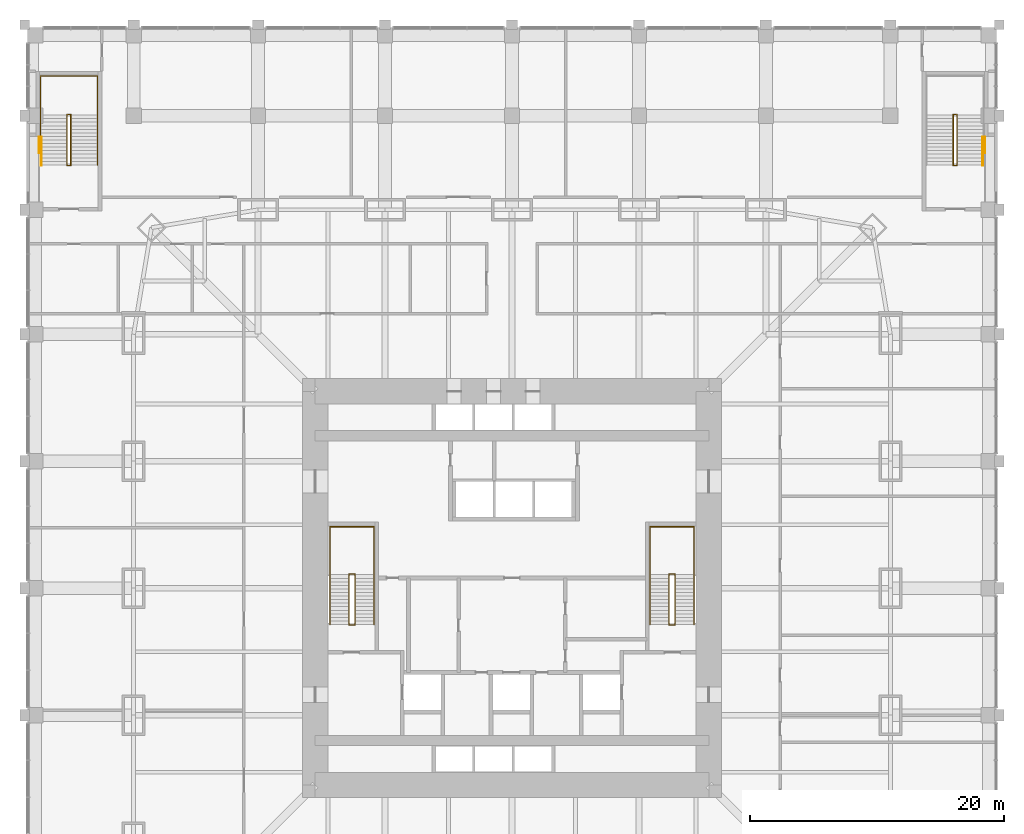
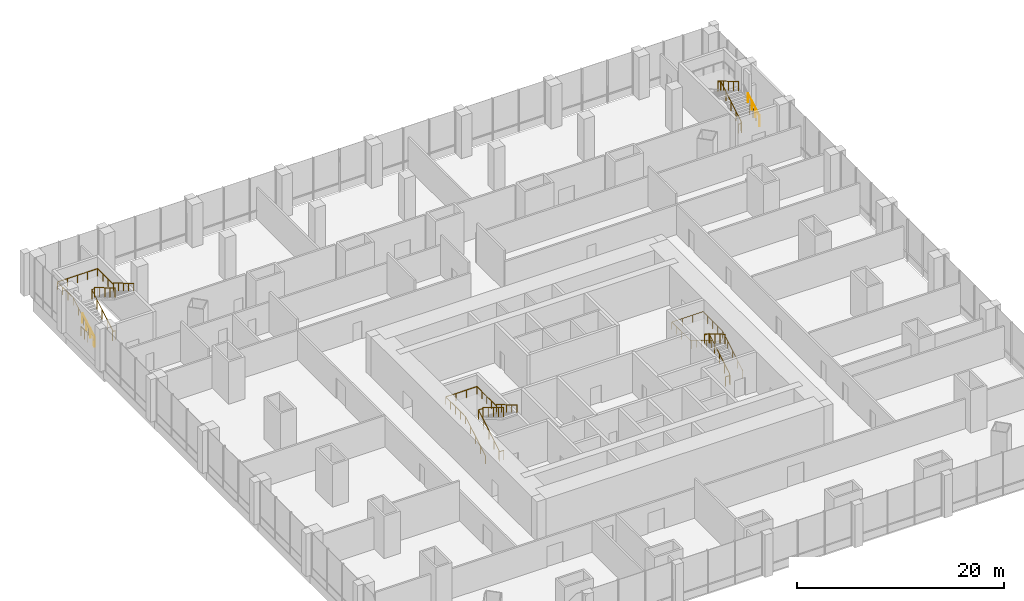
# One storey, part 23 of 24: 11 railings.
"""IFC4 building model written with IfcOpenShell, lengths in metres."""

from ifc_helpers import new_model, si_unit, direction, frame, origin, origin_2d, place, context, subcontext, project, spatial, circle, extrude, material, type_object, element, save


model = new_model("IFC4")

# Units and contexts
model_context = context("Model", 3, precision=1e-05, world=origin(), true_north=direction((0.0, 1.0)))
body_context = subcontext(model_context, "Body", "Model", "MODEL_VIEW")
ifc_project = project(units=[si_unit("LENGTHUNIT", "METRE"), si_unit("AREAUNIT", "SQUARE_METRE"), si_unit("VOLUMEUNIT", "CUBIC_METRE"), si_unit("PLANEANGLEUNIT", "RADIAN"), si_unit("MASSUNIT", "GRAM", prefix="KILO")], contexts=[model_context])

# Site, building, storey
site_placement = place(None, origin())
site = spatial("IfcSite", under=ifc_project, at=site_placement, CompositionType="ELEMENT")
building_placement = place(site_placement, origin())
building = spatial("IfcBuilding", under=site, at=building_placement, Name="Khuree Lantern Residences", CompositionType="ELEMENT")
storey_placement = place(building_placement, frame((0.0, 0.0, 6.0)))
storey = spatial("IfcBuildingStorey", under=building, at=storey_placement, Name="L01", CompositionType="ELEMENT", Elevation=6.0)

# Railings
ifc_material = material(Name="Steel S355", Category="steel")
railing_type_1 = type_object("IfcRailingType", Name="STAIR GUARD G1 1100", PredefinedType="GUARDRAIL", material=ifc_material)
railing_1_placement = place(storey_placement, frame((-12.35009765625, -2.909912109375, 0.0)))
element("IfcRailing", 1, at=railing_1_placement, inside=storey, type_object=railing_type_1, Name="Stair ST1 guard", PredefinedType="GUARDRAIL", context=body_context, shape_type="SweptSolid", body=[
    extrude(circle(Radius=0.02392578125, at=origin_2d()), frame((0.0, 0.0, 1.076171875), z_axis=(-1.0, 0.0, 0.0), x_axis=(0.0, -1.0, 0.0)), (0.0, 0.0, 1.0), 0.5),
    extrude(circle(Radius=0.02392578125, at=origin_2d()), frame((-0.5, 0.0, 1.076171875), z_axis=(0.0, 0.286189326841, 0.958173089375), x_axis=(-1.0, 0.0, 0.0)), (0.0, 0.0, 1.0), 0.174072265625),
    extrude(circle(Radius=0.02392578125, at=origin_2d()), frame((-0.5, 0.0498046875, 1.24267578125), z_axis=(0.0, 0.859310244771, 0.511454693235), x_axis=(-1.0, 0.0, 0.0)), (0.0, 0.0, 1.0), 4.56201171875),
    extrude(circle(Radius=0.02392578125, at=origin_2d()), frame((-0.5, 3.969970703125, 3.576171875), z_axis=(0.0, 1.0, 0.0), x_axis=(-1.0, 0.0, 0.0)), (0.0, 0.0, 1.0), 0.050048828125),
    extrude(circle(Radius=0.02392578125, at=origin_2d()), frame((-0.5, 4.02001953125, 3.576171875), z_axis=(1.0, 0.0, 0.0), x_axis=(0.0, 1.0, 0.0)), (0.0, 0.0, 1.0), 0.5),
    extrude(circle(Radius=0.02392578125, at=origin_2d()), frame((0.0, 4.02001953125, 3.576171875), z_axis=(0.0, -0.287476536604, 0.957787680492), x_axis=(1.0, 0.0, 0.0)), (0.0, 0.0, 1.0), 0.174072265625),
    extrude(circle(Radius=0.02392578125, at=origin_2d()), frame((0.0, 3.969970703125, 3.74267578125), z_axis=(0.0, -0.859310244771, 0.511454693235), x_axis=(1.0, 0.0, 0.0)), (0.0, 0.0, 1.0), 4.56201171875),
    extrude(circle(Radius=0.02099609375, at=origin_2d()), origin(), (0.0, 0.0, 1.0), 1.052001953125),
    extrude(circle(Radius=0.02099609375, at=origin_2d()), frame((-0.5, 0.0, 0.0)), (0.0, 0.0, 1.0), 1.052001953125),
    extrude(circle(Radius=0.02099609375, at=origin_2d()), frame((-0.5, 0.0498046875, 0.166748046875)), (0.0, 0.0, 1.0), 1.052001953125),
    extrude(circle(Radius=0.02099609375, at=origin_2d()), frame((-0.5, 1.02978515625, 0.75)), (0.0, 0.0, 1.0), 1.052001953125),
    extrude(circle(Radius=0.02099609375, at=origin_2d()), frame((-0.5, 2.009765625, 1.33349609375)), (0.0, 0.0, 1.0), 1.052001953125),
    extrude(circle(Radius=0.02099609375, at=origin_2d()), frame((-0.5, 2.989990234375, 1.916748046875)), (0.0, 0.0, 1.0), 1.052001953125),
    extrude(circle(Radius=0.02099609375, at=origin_2d()), frame((-0.5, 3.969970703125, 2.5)), (0.0, 0.0, 1.0), 1.052001953125),
    extrude(circle(Radius=0.02099609375, at=origin_2d()), frame((-0.5, 4.02001953125, 2.5)), (0.0, 0.0, 1.0), 1.052001953125),
    extrude(circle(Radius=0.02099609375, at=origin_2d()), frame((0.0, 4.02001953125, 2.5)), (0.0, 0.0, 1.0), 1.052001953125),
    extrude(circle(Radius=0.02099609375, at=origin_2d()), frame((0.0, 3.969970703125, 2.666748046875)), (0.0, 0.0, 1.0), 1.052001953125),
    extrude(circle(Radius=0.02099609375, at=origin_2d()), frame((0.0, 2.989990234375, 3.25)), (0.0, 0.0, 1.0), 1.052001953125),
    extrude(circle(Radius=0.02099609375, at=origin_2d()), frame((0.0, 2.009765625, 3.83349609375)), (0.0, 0.0, 1.0), 1.052001953125),
    extrude(circle(Radius=0.02099609375, at=origin_2d()), frame((0.0, 1.02978515625, 4.416748046875)), (0.0, 0.0, 1.0), 1.052001953125),
    extrude(circle(Radius=0.02099609375, at=origin_2d()), frame((0.0, 0.0498046875, 5.0)), (0.0, 0.0, 1.0), 1.052001953125),
])
railing_2_placement = place(storey_placement, frame((12.35009765625, -2.909912109375, 0.0)))
element("IfcRailing", 2, at=railing_2_placement, inside=storey, type_object=railing_type_1, Name="Stair ST2 guard", PredefinedType="GUARDRAIL", context=body_context, shape_type="SweptSolid", body=[
    extrude(circle(Radius=0.02392578125, at=origin_2d()), frame((0.0, 0.0, 1.076171875), z_axis=(1.0, 0.0, 0.0), x_axis=(0.0, 1.0, 0.0)), (0.0, 0.0, 1.0), 0.5),
    extrude(circle(Radius=0.02392578125, at=origin_2d()), frame((0.5, 0.0, 1.076171875), z_axis=(0.0, 0.286189326841, 0.958173089375), x_axis=(-1.0, 0.0, 0.0)), (0.0, 0.0, 1.0), 0.174072265625),
    extrude(circle(Radius=0.02392578125, at=origin_2d()), frame((0.5, 0.0498046875, 1.24267578125), z_axis=(0.0, 0.859310244771, 0.511454693235), x_axis=(-1.0, 0.0, 0.0)), (0.0, 0.0, 1.0), 4.56201171875),
    extrude(circle(Radius=0.02392578125, at=origin_2d()), frame((0.5, 3.969970703125, 3.576171875), z_axis=(0.0, 1.0, 0.0), x_axis=(-1.0, 0.0, 0.0)), (0.0, 0.0, 1.0), 0.050048828125),
    extrude(circle(Radius=0.02392578125, at=origin_2d()), frame((0.5, 4.02001953125, 3.576171875), z_axis=(-1.0, 0.0, 0.0), x_axis=(0.0, -1.0, 0.0)), (0.0, 0.0, 1.0), 0.5),
    extrude(circle(Radius=0.02392578125, at=origin_2d()), frame((0.0, 4.02001953125, 3.576171875), z_axis=(0.0, -0.287476536604, 0.957787680492), x_axis=(1.0, 0.0, 0.0)), (0.0, 0.0, 1.0), 0.174072265625),
    extrude(circle(Radius=0.02392578125, at=origin_2d()), frame((0.0, 3.969970703125, 3.74267578125), z_axis=(0.0, -0.859310244771, 0.511454693235), x_axis=(1.0, 0.0, 0.0)), (0.0, 0.0, 1.0), 4.56201171875),
    extrude(circle(Radius=0.02099609375, at=origin_2d()), origin(), (0.0, 0.0, 1.0), 1.052001953125),
    extrude(circle(Radius=0.02099609375, at=origin_2d()), frame((0.5, 0.0, 0.0)), (0.0, 0.0, 1.0), 1.052001953125),
    extrude(circle(Radius=0.02099609375, at=origin_2d()), frame((0.5, 0.0498046875, 0.166748046875)), (0.0, 0.0, 1.0), 1.052001953125),
    extrude(circle(Radius=0.02099609375, at=origin_2d()), frame((0.5, 1.02978515625, 0.75)), (0.0, 0.0, 1.0), 1.052001953125),
    extrude(circle(Radius=0.02099609375, at=origin_2d()), frame((0.5, 2.009765625, 1.33349609375)), (0.0, 0.0, 1.0), 1.052001953125),
    extrude(circle(Radius=0.02099609375, at=origin_2d()), frame((0.5, 2.989990234375, 1.916748046875)), (0.0, 0.0, 1.0), 1.052001953125),
    extrude(circle(Radius=0.02099609375, at=origin_2d()), frame((0.5, 3.969970703125, 2.5)), (0.0, 0.0, 1.0), 1.052001953125),
    extrude(circle(Radius=0.02099609375, at=origin_2d()), frame((0.5, 4.02001953125, 2.5)), (0.0, 0.0, 1.0), 1.052001953125),
    extrude(circle(Radius=0.02099609375, at=origin_2d()), frame((0.0, 4.02001953125, 2.5)), (0.0, 0.0, 1.0), 1.052001953125),
    extrude(circle(Radius=0.02099609375, at=origin_2d()), frame((0.0, 3.969970703125, 2.666748046875)), (0.0, 0.0, 1.0), 1.052001953125),
    extrude(circle(Radius=0.02099609375, at=origin_2d()), frame((0.0, 2.989990234375, 3.25)), (0.0, 0.0, 1.0), 1.052001953125),
    extrude(circle(Radius=0.02099609375, at=origin_2d()), frame((0.0, 2.009765625, 3.83349609375)), (0.0, 0.0, 1.0), 1.052001953125),
    extrude(circle(Radius=0.02099609375, at=origin_2d()), frame((0.0, 1.02978515625, 4.416748046875)), (0.0, 0.0, 1.0), 1.052001953125),
    extrude(circle(Radius=0.02099609375, at=origin_2d()), frame((0.0, 0.0498046875, 5.0)), (0.0, 0.0, 1.0), 1.052001953125),
])
railing_3_placement = place(storey_placement, frame((-34.75, 33.2900390625, 0.0)))
element("IfcRailing", 3, at=railing_3_placement, inside=storey, type_object=railing_type_1, Name="Stair ST3 guard", PredefinedType="GUARDRAIL", context=body_context, shape_type="SweptSolid", body=[
    extrude(circle(Radius=0.02392578125, at=origin_2d()), frame((0.0, 0.0, 1.076171875), z_axis=(-1.0, 0.0, 0.0), x_axis=(0.0, -1.0, 0.0)), (0.0, 0.0, 1.0), 0.300048828125),
    extrude(circle(Radius=0.02392578125, at=origin_2d()), frame((-0.300048828125, 0.0, 1.076171875), z_axis=(0.0, 0.287476536604, 0.957787680492), x_axis=(-1.0, 0.0, 0.0)), (0.0, 0.0, 1.0), 0.174072265625),
    extrude(circle(Radius=0.02392578125, at=origin_2d()), frame((-0.300048828125, 0.050048828125, 1.24267578125), z_axis=(0.0, 0.859296244711, 0.511478214419), x_axis=(-1.0, 0.0, 0.0)), (0.0, 0.0, 1.0), 4.561767578125),
    extrude(circle(Radius=0.02392578125, at=origin_2d()), frame((-0.300048828125, 3.969970703125, 3.576171875), z_axis=(0.0, 1.0, 0.0), x_axis=(-1.0, 0.0, 0.0)), (0.0, 0.0, 1.0), 0.050048828125),
    extrude(circle(Radius=0.02392578125, at=origin_2d()), frame((-0.300048828125, 4.02001953125, 3.576171875), z_axis=(1.0, 0.0, 0.0), x_axis=(0.0, 1.0, 0.0)), (0.0, 0.0, 1.0), 0.300048828125),
    extrude(circle(Radius=0.02392578125, at=origin_2d()), frame((0.0, 4.02001953125, 3.576171875), z_axis=(0.0, -0.287476536604, 0.957787680492), x_axis=(1.0, 0.0, 0.0)), (0.0, 0.0, 1.0), 0.174072265625),
    extrude(circle(Radius=0.02392578125, at=origin_2d()), frame((0.0, 3.969970703125, 3.74267578125), z_axis=(0.0, -0.859296244711, 0.511478214419), x_axis=(1.0, 0.0, 0.0)), (0.0, 0.0, 1.0), 4.561767578125),
    extrude(circle(Radius=0.02099609375, at=origin_2d()), origin(), (0.0, 0.0, 1.0), 1.052001953125),
    extrude(circle(Radius=0.02099609375, at=origin_2d()), frame((-0.300048828125, 0.0, 0.0)), (0.0, 0.0, 1.0), 1.052001953125),
    extrude(circle(Radius=0.02099609375, at=origin_2d()), frame((-0.300048828125, 0.050048828125, 0.166748046875)), (0.0, 0.0, 1.0), 1.052001953125),
    extrude(circle(Radius=0.02099609375, at=origin_2d()), frame((-0.300048828125, 1.030029296875, 0.75)), (0.0, 0.0, 1.0), 1.052001953125),
    extrude(circle(Radius=0.02099609375, at=origin_2d()), frame((-0.300048828125, 2.010009765625, 1.33349609375)), (0.0, 0.0, 1.0), 1.052001953125),
    extrude(circle(Radius=0.02099609375, at=origin_2d()), frame((-0.300048828125, 2.989990234375, 1.916748046875)), (0.0, 0.0, 1.0), 1.052001953125),
    extrude(circle(Radius=0.02099609375, at=origin_2d()), frame((-0.300048828125, 3.969970703125, 2.5)), (0.0, 0.0, 1.0), 1.052001953125),
    extrude(circle(Radius=0.02099609375, at=origin_2d()), frame((-0.300048828125, 4.02001953125, 2.5)), (0.0, 0.0, 1.0), 1.052001953125),
    extrude(circle(Radius=0.02099609375, at=origin_2d()), frame((0.0, 4.02001953125, 2.5)), (0.0, 0.0, 1.0), 1.052001953125),
    extrude(circle(Radius=0.02099609375, at=origin_2d()), frame((0.0, 3.969970703125, 2.666748046875)), (0.0, 0.0, 1.0), 1.052001953125),
    extrude(circle(Radius=0.02099609375, at=origin_2d()), frame((0.0, 2.989990234375, 3.25)), (0.0, 0.0, 1.0), 1.052001953125),
    extrude(circle(Radius=0.02099609375, at=origin_2d()), frame((0.0, 2.010009765625, 3.83349609375)), (0.0, 0.0, 1.0), 1.052001953125),
    extrude(circle(Radius=0.02099609375, at=origin_2d()), frame((0.0, 1.030029296875, 4.416748046875)), (0.0, 0.0, 1.0), 1.052001953125),
    extrude(circle(Radius=0.02099609375, at=origin_2d()), frame((0.0, 0.050048828125, 5.0)), (0.0, 0.0, 1.0), 1.052001953125),
])
railing_4_placement = place(storey_placement, frame((-37.080078125, 33.2900390625, 0.0)))
element("IfcRailing", 4, at=railing_4_placement, inside=storey, type_object=railing_type_1, Name="Stair ST3 flight edge guard", PredefinedType="GUARDRAIL", context=body_context, shape_type="SweptSolid", body=[
    extrude(circle(Radius=0.02392578125, at=origin_2d()), frame((0.0, 0.0, 1.076171875), z_axis=(0.0, 0.287476536604, 0.957787680492), x_axis=(-1.0, 0.0, 0.0)), (0.0, 0.0, 1.0), 0.174072265625),
    extrude(circle(Radius=0.02392578125, at=origin_2d()), frame((0.0, 0.050048828125, 1.24267578125), z_axis=(0.0, 0.859274887894, 0.511514092704), x_axis=(-1.0, 0.0, 0.0)), (0.0, 0.0, 1.0), 2.555419921875),
    extrude(circle(Radius=0.02099609375, at=origin_2d()), origin(), (0.0, 0.0, 1.0), 1.052001953125),
    extrude(circle(Radius=0.02099609375, at=origin_2d()), frame((0.0, 0.050048828125, 0.166748046875)), (0.0, 0.0, 1.0), 1.052001953125),
    extrude(circle(Radius=0.02099609375, at=origin_2d()), frame((0.0, 0.781982421875, 0.6025390625)), (0.0, 0.0, 1.0), 1.052001953125),
    extrude(circle(Radius=0.02099609375, at=origin_2d()), frame((0.0, 1.513916015625, 1.0380859375)), (0.0, 0.0, 1.0), 1.052001953125),
    extrude(circle(Radius=0.02099609375, at=origin_2d()), frame((0.0, 2.245849609375, 1.473876953125)), (0.0, 0.0, 1.0), 1.052001953125),
])
railing_5_placement = place(storey_placement, frame((-37.25, 34.263916015625, 0.0)))
element("IfcRailing", 5, at=railing_5_placement, inside=storey, type_object=railing_type_1, Name="Stair ST3 floor edge guard", PredefinedType="GUARDRAIL", context=body_context, shape_type="SweptSolid", body=[
    extrude(circle(Radius=0.02392578125, at=origin_2d()), frame((0.0, 0.0, 1.076171875), z_axis=(0.0, 1.0, 0.0), x_axis=(-1.0, 0.0, 0.0)), (0.0, 0.0, 1.0), 1.27197265625),
    extrude(circle(Radius=0.02099609375, at=origin_2d()), origin(), (0.0, 0.0, 1.0), 1.052001953125),
    extrude(circle(Radius=0.02099609375, at=origin_2d()), frame((0.0, 0.635986328125, 0.0)), (0.0, 0.0, 1.0), 1.052001953125),
    extrude(circle(Radius=0.02099609375, at=origin_2d()), frame((0.0, 1.27197265625, 0.0)), (0.0, 0.0, 1.0), 1.052001953125),
])
railing_6_placement = place(storey_placement, frame((34.75, 33.2900390625, 0.0)))
element("IfcRailing", 6, at=railing_6_placement, inside=storey, type_object=railing_type_1, Name="Stair ST4 guard", PredefinedType="GUARDRAIL", context=body_context, shape_type="SweptSolid", body=[
    extrude(circle(Radius=0.02392578125, at=origin_2d()), frame((0.0, 0.0, 1.076171875), z_axis=(1.0, 0.0, 0.0), x_axis=(0.0, 1.0, 0.0)), (0.0, 0.0, 1.0), 0.300048828125),
    extrude(circle(Radius=0.02392578125, at=origin_2d()), frame((0.300048828125, 0.0, 1.076171875), z_axis=(0.0, 0.287476536604, 0.957787680492), x_axis=(-1.0, 0.0, 0.0)), (0.0, 0.0, 1.0), 0.174072265625),
    extrude(circle(Radius=0.02392578125, at=origin_2d()), frame((0.300048828125, 0.050048828125, 1.24267578125), z_axis=(0.0, 0.859296244711, 0.511478214419), x_axis=(-1.0, 0.0, 0.0)), (0.0, 0.0, 1.0), 4.561767578125),
    extrude(circle(Radius=0.02392578125, at=origin_2d()), frame((0.300048828125, 3.969970703125, 3.576171875), z_axis=(0.0, 1.0, 0.0), x_axis=(-1.0, 0.0, 0.0)), (0.0, 0.0, 1.0), 0.050048828125),
    extrude(circle(Radius=0.02392578125, at=origin_2d()), frame((0.300048828125, 4.02001953125, 3.576171875), z_axis=(-1.0, 0.0, 0.0), x_axis=(0.0, -1.0, 0.0)), (0.0, 0.0, 1.0), 0.300048828125),
    extrude(circle(Radius=0.02392578125, at=origin_2d()), frame((0.0, 4.02001953125, 3.576171875), z_axis=(0.0, -0.287476536604, 0.957787680492), x_axis=(1.0, 0.0, 0.0)), (0.0, 0.0, 1.0), 0.174072265625),
    extrude(circle(Radius=0.02392578125, at=origin_2d()), frame((0.0, 3.969970703125, 3.74267578125), z_axis=(0.0, -0.859296244711, 0.511478214419), x_axis=(1.0, 0.0, 0.0)), (0.0, 0.0, 1.0), 4.561767578125),
    extrude(circle(Radius=0.02099609375, at=origin_2d()), origin(), (0.0, 0.0, 1.0), 1.052001953125),
    extrude(circle(Radius=0.02099609375, at=origin_2d()), frame((0.300048828125, 0.0, 0.0)), (0.0, 0.0, 1.0), 1.052001953125),
    extrude(circle(Radius=0.02099609375, at=origin_2d()), frame((0.300048828125, 0.050048828125, 0.166748046875)), (0.0, 0.0, 1.0), 1.052001953125),
    extrude(circle(Radius=0.02099609375, at=origin_2d()), frame((0.300048828125, 1.030029296875, 0.75)), (0.0, 0.0, 1.0), 1.052001953125),
    extrude(circle(Radius=0.02099609375, at=origin_2d()), frame((0.300048828125, 2.010009765625, 1.33349609375)), (0.0, 0.0, 1.0), 1.052001953125),
    extrude(circle(Radius=0.02099609375, at=origin_2d()), frame((0.300048828125, 2.989990234375, 1.916748046875)), (0.0, 0.0, 1.0), 1.052001953125),
    extrude(circle(Radius=0.02099609375, at=origin_2d()), frame((0.300048828125, 3.969970703125, 2.5)), (0.0, 0.0, 1.0), 1.052001953125),
    extrude(circle(Radius=0.02099609375, at=origin_2d()), frame((0.300048828125, 4.02001953125, 2.5)), (0.0, 0.0, 1.0), 1.052001953125),
    extrude(circle(Radius=0.02099609375, at=origin_2d()), frame((0.0, 4.02001953125, 2.5)), (0.0, 0.0, 1.0), 1.052001953125),
    extrude(circle(Radius=0.02099609375, at=origin_2d()), frame((0.0, 3.969970703125, 2.666748046875)), (0.0, 0.0, 1.0), 1.052001953125),
    extrude(circle(Radius=0.02099609375, at=origin_2d()), frame((0.0, 2.989990234375, 3.25)), (0.0, 0.0, 1.0), 1.052001953125),
    extrude(circle(Radius=0.02099609375, at=origin_2d()), frame((0.0, 2.010009765625, 3.83349609375)), (0.0, 0.0, 1.0), 1.052001953125),
    extrude(circle(Radius=0.02099609375, at=origin_2d()), frame((0.0, 1.030029296875, 4.416748046875)), (0.0, 0.0, 1.0), 1.052001953125),
    extrude(circle(Radius=0.02099609375, at=origin_2d()), frame((0.0, 0.050048828125, 5.0)), (0.0, 0.0, 1.0), 1.052001953125),
])
railing_7_placement = place(storey_placement, frame((37.080078125, 33.2900390625, 0.0)))
element("IfcRailing", 7, at=railing_7_placement, inside=storey, type_object=railing_type_1, Name="Stair ST4 flight edge guard", PredefinedType="GUARDRAIL", context=body_context, shape_type="SweptSolid", body=[
    extrude(circle(Radius=0.02392578125, at=origin_2d()), frame((0.0, 0.0, 1.076171875), z_axis=(0.0, 0.287476536604, 0.957787680492), x_axis=(-1.0, 0.0, 0.0)), (0.0, 0.0, 1.0), 0.174072265625),
    extrude(circle(Radius=0.02392578125, at=origin_2d()), frame((0.0, 0.050048828125, 1.24267578125), z_axis=(0.0, 0.859274887894, 0.511514092704), x_axis=(-1.0, 0.0, 0.0)), (0.0, 0.0, 1.0), 2.555419921875),
    extrude(circle(Radius=0.02099609375, at=origin_2d()), origin(), (0.0, 0.0, 1.0), 1.052001953125),
    extrude(circle(Radius=0.02099609375, at=origin_2d()), frame((0.0, 0.050048828125, 0.166748046875)), (0.0, 0.0, 1.0), 1.052001953125),
    extrude(circle(Radius=0.02099609375, at=origin_2d()), frame((0.0, 0.781982421875, 0.6025390625)), (0.0, 0.0, 1.0), 1.052001953125),
    extrude(circle(Radius=0.02099609375, at=origin_2d()), frame((0.0, 1.513916015625, 1.0380859375)), (0.0, 0.0, 1.0), 1.052001953125),
    extrude(circle(Radius=0.02099609375, at=origin_2d()), frame((0.0, 2.245849609375, 1.473876953125)), (0.0, 0.0, 1.0), 1.052001953125),
])
railing_8_placement = place(storey_placement, frame((37.25, 34.263916015625, 0.0)))
element("IfcRailing", 8, at=railing_8_placement, inside=storey, type_object=railing_type_1, Name="Stair ST4 floor edge guard", PredefinedType="GUARDRAIL", context=body_context, shape_type="SweptSolid", body=[
    extrude(circle(Radius=0.02392578125, at=origin_2d()), frame((0.0, 0.0, 1.076171875), z_axis=(0.0, 1.0, 0.0), x_axis=(-1.0, 0.0, 0.0)), (0.0, 0.0, 1.0), 1.27197265625),
    extrude(circle(Radius=0.02099609375, at=origin_2d()), origin(), (0.0, 0.0, 1.0), 1.052001953125),
    extrude(circle(Radius=0.02099609375, at=origin_2d()), frame((0.0, 0.635986328125, 0.0)), (0.0, 0.0, 1.0), 1.052001953125),
    extrude(circle(Radius=0.02099609375, at=origin_2d()), frame((0.0, 1.27197265625, 0.0)), (0.0, 0.0, 1.0), 1.052001953125),
])
railing_type_2 = type_object("IfcRailingType", Name="STAIR HANDRAIL H1 900", PredefinedType="HANDRAIL", material=ifc_material)
railing_9_placement = place(storey_placement, frame((-14.340087890625, -2.860107421875, 0.166748046875)))
element("IfcRailing", 9, at=railing_9_placement, inside=storey, type_object=railing_type_2, Name="Stair ST1 handrail", PredefinedType="HANDRAIL", context=body_context, shape_type="SweptSolid", body=[
    extrude(circle(Radius=0.02392578125, at=origin_2d()), frame((0.0, 0.0, 0.8759765625), z_axis=(0.0, 0.859310244771, 0.511454693235), x_axis=(-1.0, 0.0, 0.0)), (0.0, 0.0, 1.0), 4.56201171875),
    extrude(circle(Radius=0.02392578125, at=origin_2d()), frame((0.0, 3.920166015625, 3.208984375), z_axis=(0.0, 1.0, 0.0), x_axis=(-1.0, 0.0, 0.0)), (0.0, 0.0, 1.0), 3.780029296875),
    extrude(circle(Radius=0.02392578125, at=origin_2d()), frame((0.0, 7.7001953125, 3.208984375), z_axis=(1.0, 0.0, 0.0), x_axis=(0.0, 1.0, 0.0)), (0.0, 0.0, 1.0), 3.47998046875),
    extrude(circle(Radius=0.02392578125, at=origin_2d()), frame((3.47998046875, 7.7001953125, 3.208984375), z_axis=(0.0, -1.0, 0.0), x_axis=(1.0, 0.0, 0.0)), (0.0, 0.0, 1.0), 3.780029296875),
    extrude(circle(Radius=0.02392578125, at=origin_2d()), frame((3.47998046875, 3.920166015625, 3.208984375), z_axis=(0.0, 0.0, 1.0), x_axis=(1.0, 0.0, 0.0)), (0.0, 0.0, 1.0), 0.166748046875),
    extrude(circle(Radius=0.02392578125, at=origin_2d()), frame((3.47998046875, 3.920166015625, 3.3759765625), z_axis=(0.0, -0.859310244771, 0.511454693235), x_axis=(1.0, 0.0, 0.0)), (0.0, 0.0, 1.0), 4.56201171875),
    extrude(circle(Radius=0.02099609375, at=origin_2d()), origin(), (0.0, 0.0, 1.0), 0.851806640625),
    extrude(circle(Radius=0.02099609375, at=origin_2d()), frame((0.0, 0.97998046875, 0.583251953125)), (0.0, 0.0, 1.0), 0.851806640625),
    extrude(circle(Radius=0.02099609375, at=origin_2d()), frame((0.0, 1.9599609375, 1.16650390625)), (0.0, 0.0, 1.0), 0.851806640625),
    extrude(circle(Radius=0.02099609375, at=origin_2d()), frame((0.0, 2.940185546875, 1.75)), (0.0, 0.0, 1.0), 0.851806640625),
    extrude(circle(Radius=0.02099609375, at=origin_2d()), frame((0.0, 3.920166015625, 2.333251953125)), (0.0, 0.0, 1.0), 0.851806640625),
    extrude(circle(Radius=0.02099609375, at=origin_2d()), frame((0.0, 4.865234375, 2.333251953125)), (0.0, 0.0, 1.0), 0.851806640625),
    extrude(circle(Radius=0.02099609375, at=origin_2d()), frame((0.0, 5.81005859375, 2.333251953125)), (0.0, 0.0, 1.0), 0.851806640625),
    extrude(circle(Radius=0.02099609375, at=origin_2d()), frame((0.0, 6.755126953125, 2.333251953125)), (0.0, 0.0, 1.0), 0.851806640625),
    extrude(circle(Radius=0.02099609375, at=origin_2d()), frame((0.0, 7.7001953125, 2.333251953125)), (0.0, 0.0, 1.0), 0.851806640625),
    extrude(circle(Radius=0.02099609375, at=origin_2d()), frame((1.159912109375, 7.7001953125, 2.333251953125)), (0.0, 0.0, 1.0), 0.851806640625),
    extrude(circle(Radius=0.02099609375, at=origin_2d()), frame((2.320068359375, 7.7001953125, 2.333251953125)), (0.0, 0.0, 1.0), 0.851806640625),
    extrude(circle(Radius=0.02099609375, at=origin_2d()), frame((3.47998046875, 7.7001953125, 2.333251953125)), (0.0, 0.0, 1.0), 0.851806640625),
    extrude(circle(Radius=0.02099609375, at=origin_2d()), frame((3.47998046875, 6.755126953125, 2.333251953125)), (0.0, 0.0, 1.0), 0.851806640625),
    extrude(circle(Radius=0.02099609375, at=origin_2d()), frame((3.47998046875, 5.81005859375, 2.333251953125)), (0.0, 0.0, 1.0), 0.851806640625),
    extrude(circle(Radius=0.02099609375, at=origin_2d()), frame((3.47998046875, 4.865234375, 2.333251953125)), (0.0, 0.0, 1.0), 0.851806640625),
    extrude(circle(Radius=0.02099609375, at=origin_2d()), frame((3.47998046875, 3.920166015625, 2.333251953125)), (0.0, 0.0, 1.0), 0.851806640625),
    extrude(circle(Radius=0.02099609375, at=origin_2d()), frame((3.47998046875, 3.920166015625, 2.5)), (0.0, 0.0, 1.0), 0.851806640625),
    extrude(circle(Radius=0.02099609375, at=origin_2d()), frame((3.47998046875, 2.940185546875, 3.083251953125)), (0.0, 0.0, 1.0), 0.851806640625),
    extrude(circle(Radius=0.02099609375, at=origin_2d()), frame((3.47998046875, 1.9599609375, 3.66650390625)), (0.0, 0.0, 1.0), 0.851806640625),
    extrude(circle(Radius=0.02099609375, at=origin_2d()), frame((3.47998046875, 0.97998046875, 4.25)), (0.0, 0.0, 1.0), 0.851806640625),
    extrude(circle(Radius=0.02099609375, at=origin_2d()), frame((3.47998046875, 0.0, 4.833251953125)), (0.0, 0.0, 1.0), 0.851806640625),
])
railing_10_placement = place(storey_placement, frame((14.340087890625, -2.860107421875, 0.166748046875)))
element("IfcRailing", 10, at=railing_10_placement, inside=storey, type_object=railing_type_2, Name="Stair ST2 handrail", PredefinedType="HANDRAIL", context=body_context, shape_type="SweptSolid", body=[
    extrude(circle(Radius=0.02392578125, at=origin_2d()), frame((0.0, 0.0, 0.8759765625), z_axis=(0.0, 0.859310244771, 0.511454693235), x_axis=(-1.0, 0.0, 0.0)), (0.0, 0.0, 1.0), 4.56201171875),
    extrude(circle(Radius=0.02392578125, at=origin_2d()), frame((0.0, 3.920166015625, 3.208984375), z_axis=(0.0, 1.0, 0.0), x_axis=(-1.0, 0.0, 0.0)), (0.0, 0.0, 1.0), 3.780029296875),
    extrude(circle(Radius=0.02392578125, at=origin_2d()), frame((0.0, 7.7001953125, 3.208984375), z_axis=(-1.0, 0.0, 0.0), x_axis=(0.0, -1.0, 0.0)), (0.0, 0.0, 1.0), 3.47998046875),
    extrude(circle(Radius=0.02392578125, at=origin_2d()), frame((-3.47998046875, 7.7001953125, 3.208984375), z_axis=(0.0, -1.0, 0.0), x_axis=(1.0, 0.0, 0.0)), (0.0, 0.0, 1.0), 3.780029296875),
    extrude(circle(Radius=0.02392578125, at=origin_2d()), frame((-3.47998046875, 3.920166015625, 3.208984375), z_axis=(0.0, 0.0, 1.0), x_axis=(1.0, 0.0, 0.0)), (0.0, 0.0, 1.0), 0.166748046875),
    extrude(circle(Radius=0.02392578125, at=origin_2d()), frame((-3.47998046875, 3.920166015625, 3.3759765625), z_axis=(0.0, -0.859310244771, 0.511454693235), x_axis=(1.0, 0.0, 0.0)), (0.0, 0.0, 1.0), 4.56201171875),
    extrude(circle(Radius=0.02099609375, at=origin_2d()), origin(), (0.0, 0.0, 1.0), 0.851806640625),
    extrude(circle(Radius=0.02099609375, at=origin_2d()), frame((0.0, 0.97998046875, 0.583251953125)), (0.0, 0.0, 1.0), 0.851806640625),
    extrude(circle(Radius=0.02099609375, at=origin_2d()), frame((0.0, 1.9599609375, 1.16650390625)), (0.0, 0.0, 1.0), 0.851806640625),
    extrude(circle(Radius=0.02099609375, at=origin_2d()), frame((0.0, 2.940185546875, 1.75)), (0.0, 0.0, 1.0), 0.851806640625),
    extrude(circle(Radius=0.02099609375, at=origin_2d()), frame((0.0, 3.920166015625, 2.333251953125)), (0.0, 0.0, 1.0), 0.851806640625),
    extrude(circle(Radius=0.02099609375, at=origin_2d()), frame((0.0, 4.865234375, 2.333251953125)), (0.0, 0.0, 1.0), 0.851806640625),
    extrude(circle(Radius=0.02099609375, at=origin_2d()), frame((0.0, 5.81005859375, 2.333251953125)), (0.0, 0.0, 1.0), 0.851806640625),
    extrude(circle(Radius=0.02099609375, at=origin_2d()), frame((0.0, 6.755126953125, 2.333251953125)), (0.0, 0.0, 1.0), 0.851806640625),
    extrude(circle(Radius=0.02099609375, at=origin_2d()), frame((0.0, 7.7001953125, 2.333251953125)), (0.0, 0.0, 1.0), 0.851806640625),
    extrude(circle(Radius=0.02099609375, at=origin_2d()), frame((-1.159912109375, 7.7001953125, 2.333251953125)), (0.0, 0.0, 1.0), 0.851806640625),
    extrude(circle(Radius=0.02099609375, at=origin_2d()), frame((-2.320068359375, 7.7001953125, 2.333251953125)), (0.0, 0.0, 1.0), 0.851806640625),
    extrude(circle(Radius=0.02099609375, at=origin_2d()), frame((-3.47998046875, 7.7001953125, 2.333251953125)), (0.0, 0.0, 1.0), 0.851806640625),
    extrude(circle(Radius=0.02099609375, at=origin_2d()), frame((-3.47998046875, 6.755126953125, 2.333251953125)), (0.0, 0.0, 1.0), 0.851806640625),
    extrude(circle(Radius=0.02099609375, at=origin_2d()), frame((-3.47998046875, 5.81005859375, 2.333251953125)), (0.0, 0.0, 1.0), 0.851806640625),
    extrude(circle(Radius=0.02099609375, at=origin_2d()), frame((-3.47998046875, 4.865234375, 2.333251953125)), (0.0, 0.0, 1.0), 0.851806640625),
    extrude(circle(Radius=0.02099609375, at=origin_2d()), frame((-3.47998046875, 3.920166015625, 2.333251953125)), (0.0, 0.0, 1.0), 0.851806640625),
    extrude(circle(Radius=0.02099609375, at=origin_2d()), frame((-3.47998046875, 3.920166015625, 2.5)), (0.0, 0.0, 1.0), 0.851806640625),
    extrude(circle(Radius=0.02099609375, at=origin_2d()), frame((-3.47998046875, 2.940185546875, 3.083251953125)), (0.0, 0.0, 1.0), 0.851806640625),
    extrude(circle(Radius=0.02099609375, at=origin_2d()), frame((-3.47998046875, 1.9599609375, 3.66650390625)), (0.0, 0.0, 1.0), 0.851806640625),
    extrude(circle(Radius=0.02099609375, at=origin_2d()), frame((-3.47998046875, 0.97998046875, 4.25)), (0.0, 0.0, 1.0), 0.851806640625),
    extrude(circle(Radius=0.02099609375, at=origin_2d()), frame((-3.47998046875, 0.0, 4.833251953125)), (0.0, 0.0, 1.0), 0.851806640625),
])
railing_11_placement = place(storey_placement, frame((-37.139892578125, 33.340087890625, 0.166748046875)))
element("IfcRailing", 11, at=railing_11_placement, inside=storey, type_object=railing_type_2, Name="Stair ST3 handrail", PredefinedType="HANDRAIL", context=body_context, shape_type="SweptSolid", body=[
    extrude(circle(Radius=0.02392578125, at=origin_2d()), frame((0.0, 0.0, 0.8759765625), z_axis=(0.0, 0.859296244711, 0.511478214419), x_axis=(-1.0, 0.0, 0.0)), (0.0, 0.0, 1.0), 4.561767578125),
    extrude(circle(Radius=0.02392578125, at=origin_2d()), frame((0.0, 3.919921875, 3.208984375), z_axis=(0.0, 1.0, 0.0), x_axis=(-1.0, 0.0, 0.0)), (0.0, 0.0, 1.0), 3.080078125),
    extrude(circle(Radius=0.02392578125, at=origin_2d()), frame((0.0, 7.0, 3.208984375), z_axis=(1.0, 0.0, 0.0), x_axis=(0.0, 1.0, 0.0)), (0.0, 0.0, 1.0), 4.47998046875),
    extrude(circle(Radius=0.02392578125, at=origin_2d()), frame((4.47998046875, 7.0, 3.208984375), z_axis=(0.0, -1.0, 0.0), x_axis=(1.0, 0.0, 0.0)), (0.0, 0.0, 1.0), 3.080078125),
    extrude(circle(Radius=0.02392578125, at=origin_2d()), frame((4.47998046875, 3.919921875, 3.208984375), z_axis=(0.0, 0.0, 1.0), x_axis=(1.0, 0.0, 0.0)), (0.0, 0.0, 1.0), 0.166748046875),
    extrude(circle(Radius=0.02392578125, at=origin_2d()), frame((4.47998046875, 3.919921875, 3.3759765625), z_axis=(0.0, -0.859296244711, 0.511478214419), x_axis=(1.0, 0.0, 0.0)), (0.0, 0.0, 1.0), 4.561767578125),
    extrude(circle(Radius=0.02099609375, at=origin_2d()), origin(), (0.0, 0.0, 1.0), 0.851806640625),
    extrude(circle(Radius=0.02099609375, at=origin_2d()), frame((0.0, 0.97998046875, 0.583251953125)), (0.0, 0.0, 1.0), 0.851806640625),
    extrude(circle(Radius=0.02099609375, at=origin_2d()), frame((0.0, 1.9599609375, 1.16650390625)), (0.0, 0.0, 1.0), 0.851806640625),
    extrude(circle(Radius=0.02099609375, at=origin_2d()), frame((0.0, 2.93994140625, 1.75)), (0.0, 0.0, 1.0), 0.851806640625),
    extrude(circle(Radius=0.02099609375, at=origin_2d()), frame((0.0, 3.919921875, 2.333251953125)), (0.0, 0.0, 1.0), 0.851806640625),
    extrude(circle(Radius=0.02099609375, at=origin_2d()), frame((0.0, 4.946533203125, 2.333251953125)), (0.0, 0.0, 1.0), 0.851806640625),
    extrude(circle(Radius=0.02099609375, at=origin_2d()), frame((0.0, 5.973388671875, 2.333251953125)), (0.0, 0.0, 1.0), 0.851806640625),
    extrude(circle(Radius=0.02099609375, at=origin_2d()), frame((0.0, 7.0, 2.333251953125)), (0.0, 0.0, 1.0), 0.851806640625),
    extrude(circle(Radius=0.02099609375, at=origin_2d()), frame((1.1201171875, 7.0, 2.333251953125)), (0.0, 0.0, 1.0), 0.851806640625),
    extrude(circle(Radius=0.02099609375, at=origin_2d()), frame((2.239990234375, 7.0, 2.333251953125)), (0.0, 0.0, 1.0), 0.851806640625),
    extrude(circle(Radius=0.02099609375, at=origin_2d()), frame((3.35986328125, 7.0, 2.333251953125)), (0.0, 0.0, 1.0), 0.851806640625),
    extrude(circle(Radius=0.02099609375, at=origin_2d()), frame((4.47998046875, 7.0, 2.333251953125)), (0.0, 0.0, 1.0), 0.851806640625),
    extrude(circle(Radius=0.02099609375, at=origin_2d()), frame((4.47998046875, 5.973388671875, 2.333251953125)), (0.0, 0.0, 1.0), 0.851806640625),
    extrude(circle(Radius=0.02099609375, at=origin_2d()), frame((4.47998046875, 4.946533203125, 2.333251953125)), (0.0, 0.0, 1.0), 0.851806640625),
    extrude(circle(Radius=0.02099609375, at=origin_2d()), frame((4.47998046875, 3.919921875, 2.333251953125)), (0.0, 0.0, 1.0), 0.851806640625),
    extrude(circle(Radius=0.02099609375, at=origin_2d()), frame((4.47998046875, 3.919921875, 2.5)), (0.0, 0.0, 1.0), 0.851806640625),
    extrude(circle(Radius=0.02099609375, at=origin_2d()), frame((4.47998046875, 2.93994140625, 3.083251953125)), (0.0, 0.0, 1.0), 0.851806640625),
    extrude(circle(Radius=0.02099609375, at=origin_2d()), frame((4.47998046875, 1.9599609375, 3.66650390625)), (0.0, 0.0, 1.0), 0.851806640625),
    extrude(circle(Radius=0.02099609375, at=origin_2d()), frame((4.47998046875, 0.97998046875, 4.25)), (0.0, 0.0, 1.0), 0.851806640625),
    extrude(circle(Radius=0.02099609375, at=origin_2d()), frame((4.47998046875, 0.0, 4.833251953125)), (0.0, 0.0, 1.0), 0.851806640625),
])

save(model, "model.ifc")
